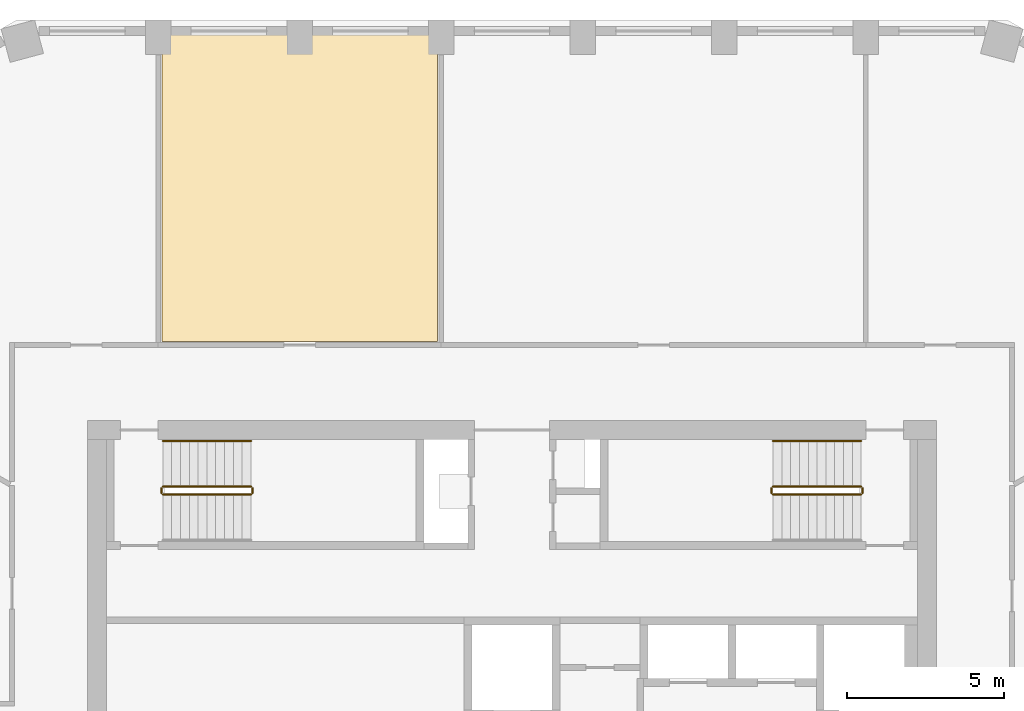
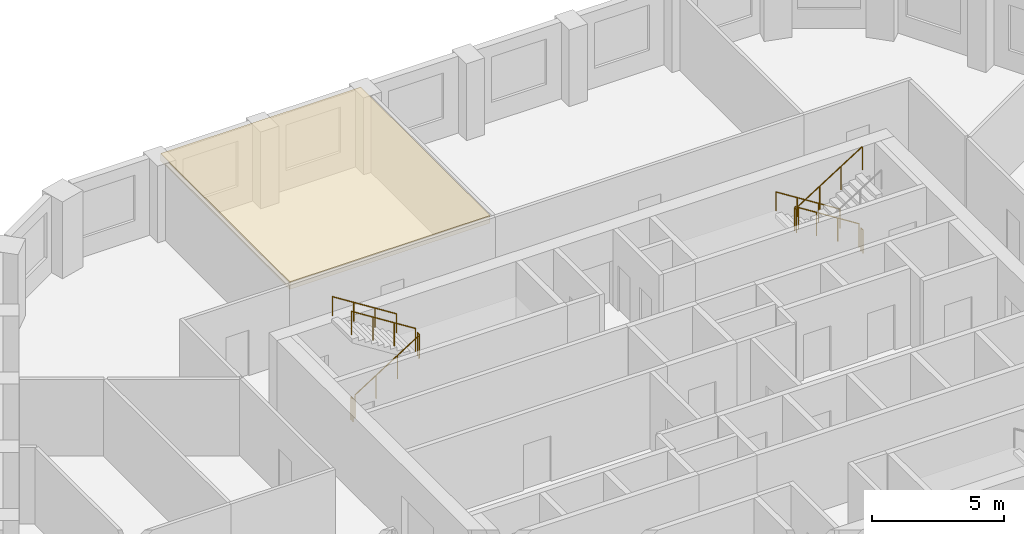
# One storey, part 11 of 11: 10 railings, 1 covering.
"""IFC4 building model written with IfcOpenShell, lengths in metres."""

from ifc_helpers import new_model, si_unit, direction, frame, origin, origin_2d, place, context, subcontext, project, spatial, polyline, circle, outline, extrude, material, layer, layer_set, type_object, element, save


model = new_model("IFC4")

# Units and contexts
model_context = context("Model", 3, precision=1e-05, world=origin(), true_north=direction((0.0, 1.0)))
body_context = subcontext(model_context, "Body", "Model", "MODEL_VIEW")
ifc_project = project(units=[si_unit("LENGTHUNIT", "METRE"), si_unit("AREAUNIT", "SQUARE_METRE"), si_unit("VOLUMEUNIT", "CUBIC_METRE"), si_unit("PLANEANGLEUNIT", "RADIAN"), si_unit("MASSUNIT", "GRAM", prefix="KILO")], contexts=[model_context])

# Site, building, storey
site_placement = place(None, origin())
site = spatial("IfcSite", under=ifc_project, at=site_placement, CompositionType="ELEMENT")
building_placement = place(site_placement, origin())
building = spatial("IfcBuilding", under=site, at=building_placement, Name="Dhurran Vertical Campus", CompositionType="ELEMENT")
storey_placement = place(building_placement, frame((0.0, 0.0, 215.10009765625)))
storey = spatial("IfcBuildingStorey", under=building, at=storey_placement, Name="L53", CompositionType="ELEMENT", Elevation=215.10009765625)

# Railings
ifc_material_1 = material(Name="Stainless steel balustrade", Category="steel")
railing_type_1 = type_object("IfcRailingType", Name="co-RL-GUARD-1100", PredefinedType="GUARDRAIL", material=ifc_material_1)
railing_1_placement = place(storey_placement, frame((-11.10009765625, 8.89990234375, 0.17724609375)))
element("IfcRailing", 1, at=railing_1_placement, inside=storey, type_object=railing_type_1, Name="L53 ST1 stair guard 1", PredefinedType="GUARDRAIL", context=body_context, shape_type="SweptSolid", body=[
    extrude(circle(Radius=0.02392578125, at=origin_2d()), frame((0.0, 0.0, 1.076171875), z_axis=(0.844908973607, 0.0, 0.534910110503), x_axis=(0.0, 1.0, 0.0)), (0.0, 0.0, 1.0), 3.31396484375),
    extrude(circle(Radius=0.02099609375, at=origin_2d()), origin(), (0.0, 0.0, 1.0), 1.052001953125),
    extrude(circle(Radius=0.02099609375, at=origin_2d()), frame((0.933349609375, 0.0, 0.5908203125)), (0.0, 0.0, 1.0), 1.052001953125),
    extrude(circle(Radius=0.02099609375, at=origin_2d()), frame((1.86669921875, 0.0, 1.181884765625)), (0.0, 0.0, 1.0), 1.052001953125),
    extrude(circle(Radius=0.02099609375, at=origin_2d()), frame((2.800048828125, 0.0, 1.772705078125)), (0.0, 0.0, 1.0), 1.052001953125),
])
railing_2_placement = place(storey_placement, frame((-8.25, 8.949951171875, 1.949951171875)))
element("IfcRailing", 2, at=railing_2_placement, inside=storey, type_object=railing_type_1, Name="L53 ST1 stair guard 2", PredefinedType="GUARDRAIL", context=body_context, shape_type="SweptSolid", body=[
    extrude(circle(Radius=0.02392578125, at=origin_2d()), frame((0.0, 0.0, 1.076171875), z_axis=(0.0, 1.0, 0.0), x_axis=(-1.0, 0.0, 0.0)), (0.0, 0.0, 1.0), 0.150146484375),
    extrude(circle(Radius=0.02099609375, at=origin_2d()), origin(), (0.0, 0.0, 1.0), 1.052001953125),
    extrude(circle(Radius=0.02099609375, at=origin_2d()), frame((0.0, 0.150146484375, 0.0)), (0.0, 0.0, 1.0), 1.052001953125),
])
railing_3_placement = place(storey_placement, frame((-8.300048828125, 9.14990234375, 2.127197265625)))
element("IfcRailing", 3, at=railing_3_placement, inside=storey, type_object=railing_type_1, Name="L53 ST1 stair guard 3", PredefinedType="GUARDRAIL", context=body_context, shape_type="SweptSolid", body=[
    extrude(circle(Radius=0.02392578125, at=origin_2d()), frame((0.0, 0.0, 1.076171875), z_axis=(-0.844908973607, 0.0, 0.534910110503), x_axis=(0.0, -1.0, 0.0)), (0.0, 0.0, 1.0), 3.31396484375),
    extrude(circle(Radius=0.02099609375, at=origin_2d()), origin(), (0.0, 0.0, 1.0), 1.052001953125),
    extrude(circle(Radius=0.02099609375, at=origin_2d()), frame((-0.933349609375, 0.0, 0.5908203125)), (0.0, 0.0, 1.0), 1.052001953125),
    extrude(circle(Radius=0.02099609375, at=origin_2d()), frame((-1.86669921875, 0.0, 1.181884765625)), (0.0, 0.0, 1.0), 1.052001953125),
    extrude(circle(Radius=0.02099609375, at=origin_2d()), frame((-2.800048828125, 0.0, 1.772705078125)), (0.0, 0.0, 1.0), 1.052001953125),
])
railing_4_placement = place(storey_placement, frame((-11.14990234375, 8.949951171875, 0.0)))
element("IfcRailing", 4, at=railing_4_placement, inside=storey, type_object=railing_type_1, Name="L53 ST1 stair guard 4", PredefinedType="GUARDRAIL", context=body_context, shape_type="SweptSolid", body=[
    extrude(circle(Radius=0.02392578125, at=origin_2d()), frame((0.0, 0.0, 1.076171875), z_axis=(0.0, 1.0, 0.0), x_axis=(-1.0, 0.0, 0.0)), (0.0, 0.0, 1.0), 0.150146484375),
    extrude(circle(Radius=0.02099609375, at=origin_2d()), origin(), (0.0, 0.0, 1.0), 1.052001953125),
    extrude(circle(Radius=0.02099609375, at=origin_2d()), frame((0.0, 0.150146484375, 0.0)), (0.0, 0.0, 1.0), 1.052001953125),
])
railing_5_placement = place(storey_placement, frame((11.10009765625, 9.14990234375, 0.17724609375)))
element("IfcRailing", 5, at=railing_5_placement, inside=storey, type_object=railing_type_1, Name="L53 ST2 stair guard 1", PredefinedType="GUARDRAIL", context=body_context, shape_type="SweptSolid", body=[
    extrude(circle(Radius=0.02392578125, at=origin_2d()), frame((0.0, 0.0, 1.076171875), z_axis=(-0.844908973607, 0.0, 0.534910110503), x_axis=(0.0, -1.0, 0.0)), (0.0, 0.0, 1.0), 3.31396484375),
    extrude(circle(Radius=0.02099609375, at=origin_2d()), origin(), (0.0, 0.0, 1.0), 1.052001953125),
    extrude(circle(Radius=0.02099609375, at=origin_2d()), frame((-0.933349609375, 0.0, 0.5908203125)), (0.0, 0.0, 1.0), 1.052001953125),
    extrude(circle(Radius=0.02099609375, at=origin_2d()), frame((-1.86669921875, 0.0, 1.181884765625)), (0.0, 0.0, 1.0), 1.052001953125),
    extrude(circle(Radius=0.02099609375, at=origin_2d()), frame((-2.800048828125, 0.0, 1.772705078125)), (0.0, 0.0, 1.0), 1.052001953125),
])
railing_6_placement = place(storey_placement, frame((8.25, 9.10009765625, 1.949951171875)))
element("IfcRailing", 6, at=railing_6_placement, inside=storey, type_object=railing_type_1, Name="L53 ST2 stair guard 2", PredefinedType="GUARDRAIL", context=body_context, shape_type="SweptSolid", body=[
    extrude(circle(Radius=0.02392578125, at=origin_2d()), frame((0.0, 0.0, 1.076171875), z_axis=(0.0, -1.0, 0.0), x_axis=(1.0, 0.0, 0.0)), (0.0, 0.0, 1.0), 0.150146484375),
    extrude(circle(Radius=0.02099609375, at=origin_2d()), origin(), (0.0, 0.0, 1.0), 1.052001953125),
    extrude(circle(Radius=0.02099609375, at=origin_2d()), frame((0.0, -0.150146484375, 0.0)), (0.0, 0.0, 1.0), 1.052001953125),
])
railing_7_placement = place(storey_placement, frame((8.300048828125, 8.89990234375, 2.127197265625)))
element("IfcRailing", 7, at=railing_7_placement, inside=storey, type_object=railing_type_1, Name="L53 ST2 stair guard 3", PredefinedType="GUARDRAIL", context=body_context, shape_type="SweptSolid", body=[
    extrude(circle(Radius=0.02392578125, at=origin_2d()), frame((0.0, 0.0, 1.076171875), z_axis=(0.844908973607, 0.0, 0.534910110503), x_axis=(0.0, 1.0, 0.0)), (0.0, 0.0, 1.0), 3.31396484375),
    extrude(circle(Radius=0.02099609375, at=origin_2d()), origin(), (0.0, 0.0, 1.0), 1.052001953125),
    extrude(circle(Radius=0.02099609375, at=origin_2d()), frame((0.933349609375, 0.0, 0.5908203125)), (0.0, 0.0, 1.0), 1.052001953125),
    extrude(circle(Radius=0.02099609375, at=origin_2d()), frame((1.86669921875, 0.0, 1.181884765625)), (0.0, 0.0, 1.0), 1.052001953125),
    extrude(circle(Radius=0.02099609375, at=origin_2d()), frame((2.800048828125, 0.0, 1.772705078125)), (0.0, 0.0, 1.0), 1.052001953125),
])
railing_8_placement = place(storey_placement, frame((11.14990234375, 9.10009765625, 0.0)))
element("IfcRailing", 8, at=railing_8_placement, inside=storey, type_object=railing_type_1, Name="L53 ST2 stair guard 4", PredefinedType="GUARDRAIL", context=body_context, shape_type="SweptSolid", body=[
    extrude(circle(Radius=0.02392578125, at=origin_2d()), frame((0.0, 0.0, 1.076171875), z_axis=(0.0, -1.0, 0.0), x_axis=(1.0, 0.0, 0.0)), (0.0, 0.0, 1.0), 0.150146484375),
    extrude(circle(Radius=0.02099609375, at=origin_2d()), origin(), (0.0, 0.0, 1.0), 1.052001953125),
    extrude(circle(Radius=0.02099609375, at=origin_2d()), frame((0.0, -0.150146484375, 0.0)), (0.0, 0.0, 1.0), 1.052001953125),
])
ifc_material_2 = material(Name="Stainless steel handrail", Category="steel")
railing_type_2 = type_object("IfcRailingType", Name="co-RL-HANDRAIL-900", PredefinedType="HANDRAIL", material=ifc_material_2)
for number, where, name in (
    (9, (-8.300048828125, 10.60009765625, 2.127197265625), "L53 ST1 stair handrail 2"),
    (10, (11.10009765625, 10.60009765625, 0.17724609375), "L53 ST2 stair handrail 1"),
):
    element("IfcRailing", number, at=place(storey_placement, frame(where)), inside=storey, type_object=railing_type_2, Name=name, PredefinedType="HANDRAIL", context=body_context, shape_type="SweptSolid", body=[
        extrude(circle(Radius=0.02392578125, at=origin_2d()), frame((0.0, 0.0, 0.8759765625), z_axis=(-0.844908973607, 0.0, 0.534910110503), x_axis=(0.0, -1.0, 0.0)), (0.0, 0.0, 1.0), 3.31396484375),
        extrude(circle(Radius=0.02099609375, at=origin_2d()), origin(), (0.0, 0.0, 1.0), 0.851806640625),
        extrude(circle(Radius=0.02099609375, at=origin_2d()), frame((-0.933349609375, 0.0, 0.5908203125)), (0.0, 0.0, 1.0), 0.851806640625),
        extrude(circle(Radius=0.02099609375, at=origin_2d()), frame((-1.86669921875, 0.0, 1.181884765625)), (0.0, 0.0, 1.0), 0.851806640625),
        extrude(circle(Radius=0.02099609375, at=origin_2d()), frame((-2.800048828125, 0.0, 1.772705078125)), (0.0, 0.0, 1.0), 0.851806640625),
    ])

# Covering
ifc_material_3 = material(Name="Mineral fibre ceiling tiles on suspended grid")
ifc_layer = layer(ifc_material_3, 0.35009765625)
ifc_layer_set = layer_set([ifc_layer], Name="Mineral fibre ceiling tiles on suspended grid")
covering_type = type_object("IfcCoveringType", Name="fl-CE-350 suspended ceiling", PredefinedType="CEILING", material=ifc_layer_set)
covering_placement = place(storey_placement, frame((0.0, 0.0, 3.199951171875)))
element("IfcCovering", 11, at=covering_placement, inside=storey, type_object=covering_type, Name="Ceiling 53-10", PredefinedType="CEILING", context=body_context, shape_type="SweptSolid", body=[
    extrude(outline(polyline([(-11.1298828125, 23.56591796875), (-2.3701171875, 23.56591796875), (-2.3701171875, 13.77001953125), (-11.1298828125, 13.77001953125), (-11.1298828125, 23.56591796875)])), origin(), (0.0, 0.0, 1.0), 0.349853515625),
])

save(model, "model.ifc")
